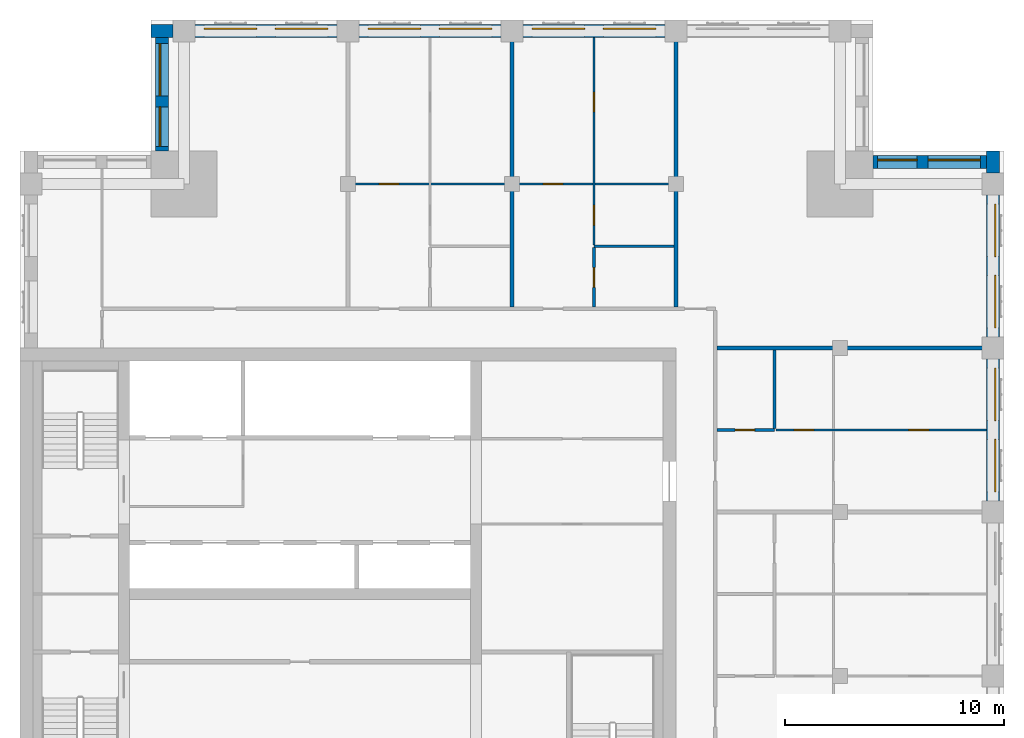
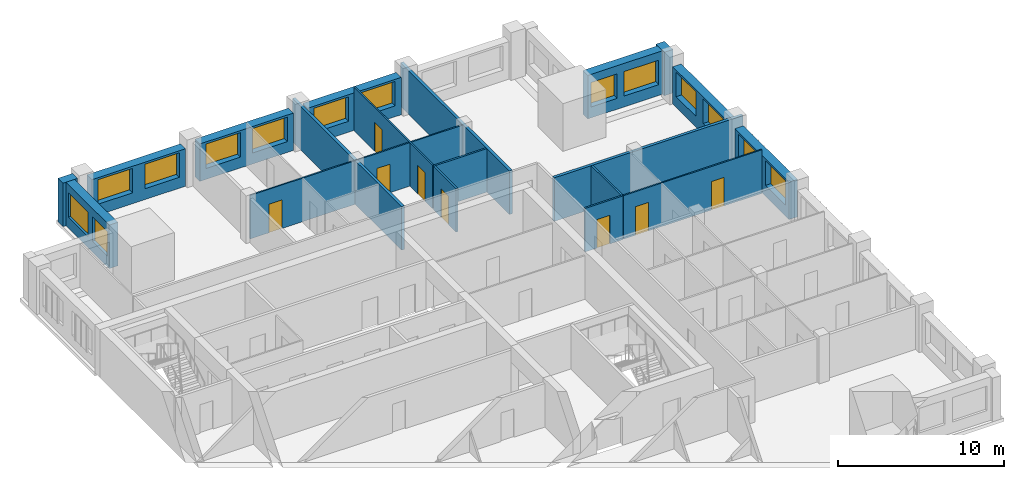
# One storey, part 7 of 10: 19 walls, 14 windows, 8 doors, 22 openings.
"""IFC4 building model written with IfcOpenShell, lengths in metres."""

import ifcopenshell
import ifcopenshell.guid

model = None  # the IFC model being written
_history = None  # IfcOwnerHistory: only IFC2X3 demands one
_inside = {}  # id of a spatial element -> (the spatial element, [elements in it])
_under = {}  # id of a project, library or spatial element -> (it, [spatial elements below it])
_declared = {}  # id of a project -> (the project, [libraries it declares])
_typed = {}  # id of a type object -> (the type object, [elements of that type])
_made_of = {}  # id of a material, layer set ... -> (it, [elements and type objects made of it])


def new_model(schema):
    """Start an empty IFC model of exactly this schema.

    Asked for "IFC4X3", IfcOpenShell would pick the latest addendum, in which some entities
    have other attributes; the version numbers below select the first issue.
    IFC2X3 requires an IfcOwnerHistory on every rooted entity: one is made here for all.
    """
    global model, _history
    if schema == "IFC4X3":
        model = ifcopenshell.file(schema_version=(4, 3, 0, 0))
    else:
        model = ifcopenshell.file(schema=schema)
    _inside.clear()
    _under.clear()
    _declared.clear()
    _typed.clear()
    _made_of.clear()
    _history = None
    if model.schema == "IFC2X3":
        org = make("IfcOrganization", Name="unknown")
        user = make(
            "IfcPersonAndOrganization",
            ThePerson=make("IfcPerson", FamilyName="unknown"),
            TheOrganization=org,
        )
        app = make(
            "IfcApplication",
            ApplicationDeveloper=org,
            Version="unknown",
            ApplicationFullName="unknown",
            ApplicationIdentifier="unknown",
        )
        _history = make(
            "IfcOwnerHistory",
            OwningUser=user,
            OwningApplication=app,
            ChangeAction="ADDED",
            CreationDate=0,
        )
    return model


def make(cls, **values):
    """One entity of the class cls with the attributes given. An attribute that is None is left unset."""
    return model.create_entity(
        cls, **{name: value for name, value in values.items() if value is not None}
    )


def rooted(cls, **values):
    """An entity with a GlobalId (a new one), such as an element, a storey or a relation."""
    return make(cls, GlobalId=ifcopenshell.guid.new(), OwnerHistory=_history, **values)


def si_unit(unit_type, name, prefix=None):
    """IfcSIUnit, for example si_unit("LENGTHUNIT", "METRE", prefix="MILLI")."""
    return make("IfcSIUnit", UnitType=unit_type, Prefix=prefix, Name=name)


def assignment(units):
    """IfcUnitAssignment: the units of a project."""
    return None if units is None else make("IfcUnitAssignment", Units=units)


def point(xyz):
    """IfcCartesianPoint."""
    return None if xyz is None else make("IfcCartesianPoint", Coordinates=xyz)


def direction(xyz):
    """IfcDirection."""
    return None if xyz is None else make("IfcDirection", DirectionRatios=xyz)


def frame(location, z_axis=None, x_axis=None):
    """IfcAxis2Placement3D, a coordinate frame: its origin and axes. An axis left out is left unset."""
    return make(
        "IfcAxis2Placement3D",
        Location=point(location),
        Axis=direction(z_axis),
        RefDirection=direction(x_axis),
    )


def frame_2d(location, x_axis=None):
    """IfcAxis2Placement2D, a coordinate frame in the plane: its origin and x axis."""
    return make(
        "IfcAxis2Placement2D", Location=point(location), RefDirection=direction(x_axis)
    )


def origin():
    """The frame at (0, 0, 0) with its axes left unset."""
    return frame((0.0, 0.0, 0.0))


def place(relative_to, where):
    """IfcLocalPlacement: puts the frame where relative to a parent placement (None: the world)."""
    return make(
        "IfcLocalPlacement", PlacementRelTo=relative_to, RelativePlacement=where
    )


def context(
    kind, dimensions, precision=None, world=None, true_north=None, identifier=None
):
    """IfcGeometricRepresentationContext, for example the 3D "Model" context."""
    return make(
        "IfcGeometricRepresentationContext",
        ContextIdentifier=identifier,
        ContextType=kind,
        CoordinateSpaceDimension=dimensions,
        Precision=precision,
        WorldCoordinateSystem=world,
        TrueNorth=true_north,
    )


def subcontext(parent, identifier, kind, view, scale=None):
    """IfcGeometricRepresentationSubContext, for example "Body" below "Model"."""
    return make(
        "IfcGeometricRepresentationSubContext",
        ContextIdentifier=identifier,
        ContextType=kind,
        ParentContext=parent,
        TargetScale=scale,
        TargetView=view,
    )


def project(units=None, contexts=None):
    """IfcProject with its units and contexts."""
    return rooted(
        "IfcProject",
        Name="project",
        RepresentationContexts=contexts,
        UnitsInContext=assignment(units),
    )


def spatial(cls, under=None, at=None, **own):
    """A site, building, storey or space (cls), placed at a placement, below another one or the project."""
    s = rooted(cls, ObjectPlacement=at, **own)
    if under is not None:
        _under.setdefault(under.id(), (under, []))[1].append(s)
    return s


def profile(cls, at=None, kind="AREA", **sizes):
    """A parametric profile (cls). Its sizes go by their IFC names, for example OverallWidth=200.0."""
    return make(cls, ProfileType=kind, Position=at, **sizes)


def rectangle(**sizes):
    """IfcRectangleProfileDef."""
    return profile("IfcRectangleProfileDef", **sizes)


def extrude(swept, where, along, depth):
    """IfcExtrudedAreaSolid: the profile swept, set in the frame where, extruded along a direction by depth."""
    return make(
        "IfcExtrudedAreaSolid",
        SweptArea=swept,
        Position=where,
        ExtrudedDirection=direction(along),
        Depth=depth,
    )


def shape(context_of_items, identifier, shape_type, items):
    """IfcShapeRepresentation: the items that make up one representation, for example the "Body"."""
    return make(
        "IfcShapeRepresentation",
        ContextOfItems=context_of_items,
        RepresentationIdentifier=identifier,
        RepresentationType=shape_type,
        Items=items,
    )


def material(Name=None, Category=None):
    """IfcMaterial."""
    return make("IfcMaterial", Name=Name, Category=Category)


def layer(
    of_material, thickness, ventilated=None, Name=None, Category=None, Priority=None
):
    """IfcMaterialLayer: one layer of a wall or slab, of a material (None: an air gap)."""
    return make(
        "IfcMaterialLayer",
        Material=of_material,
        LayerThickness=thickness,
        IsVentilated=ventilated,
        Name=Name,
        Category=Category,
        Priority=Priority,
    )


def layer_set(layers, Name=None):
    """IfcMaterialLayerSet."""
    return make("IfcMaterialLayerSet", MaterialLayers=layers, LayerSetName=Name)


def made_of(thing, what):
    """Note that an element or type object is made of a material, layer set ...; save() writes the relation."""
    if what is not None:
        _made_of.setdefault(what.id(), (what, []))[1].append(thing)
    return thing


def type_object(cls, material=None, **own):
    """A type object (cls), such as IfcWallType, which elements share."""
    return made_of(rooted(cls, **own), material)


def element(
    cls,
    number,
    at=None,
    inside=None,
    cuts=None,
    type_object=None,
    material=None,
    context=None,
    identifier="Body",
    shape_type=None,
    held_by="IfcProductDefinitionShape",
    body=None,
    shapes=None,
    **own,
):
    """One element of the class cls, such as IfcWall. Its Tag is "e" and its number.

    at: its placement. inside: the storey or other place that contains it. cuts: it is an
    opening in that element (IfcRelVoidsElement). A single representation is given by context,
    identifier, shape_type and body (its items); several are given by shapes. held_by: the class
    of the entity that holds the representations. save() writes the other relations.
    """
    e = rooted(cls, Tag="e%d" % number, ObjectPlacement=at, **own)
    if body is not None:
        shapes = [shape(context, identifier, shape_type, body)]
    if shapes is not None:
        e.Representation = make(held_by, Representations=shapes)
    if inside is not None:
        _inside.setdefault(inside.id(), (inside, []))[1].append(e)
    if cuts is not None:
        rooted(
            "IfcRelVoidsElement", RelatingBuildingElement=cuts, RelatedOpeningElement=e
        )
    if type_object is not None:
        _typed.setdefault(type_object.id(), (type_object, []))[1].append(e)
    return made_of(e, material)


def fill(opening, filler):
    """IfcRelFillsElement: the door or window that sits in an opening."""
    return rooted(
        "IfcRelFillsElement",
        RelatingOpeningElement=opening,
        RelatedBuildingElement=filler,
    )


def aggregate(whole, parts):
    """IfcRelAggregates: a whole, such as a stair, and the parts it consists of."""
    return rooted("IfcRelAggregates", RelatingObject=whole, RelatedObjects=parts)


def save(model, path):
    """Write the relations noted so far, then the file.

    IfcRelAggregates (storeys below a building ...), IfcRelContainedInSpatialStructure (elements
    in a storey), IfcRelDefinesByType, IfcRelAssociatesMaterial and IfcRelDeclares: one each for
    every whole, place, type object, material and project.
    """
    for whole, parts in _under.values():
        aggregate(whole, parts)
    for where, things in _inside.values():
        rooted(
            "IfcRelContainedInSpatialStructure",
            RelatedElements=things,
            RelatingStructure=where,
        )
    for kind, things in _typed.values():
        rooted("IfcRelDefinesByType", RelatedObjects=things, RelatingType=kind)
    for what, things in _made_of.values():
        rooted("IfcRelAssociatesMaterial", RelatedObjects=things, RelatingMaterial=what)
    for by, libraries in _declared.values():
        rooted("IfcRelDeclares", RelatingContext=by, RelatedDefinitions=libraries)
    model.write(path)


model = new_model("IFC4")

# Units and contexts
model_context = context("Model", 3, precision=1e-05, world=origin(), true_north=direction((0.0, 1.0)))
body_context = subcontext(model_context, "Body", "Model", "MODEL_VIEW")
ifc_project = project(units=[si_unit("LENGTHUNIT", "METRE"), si_unit("AREAUNIT", "SQUARE_METRE"), si_unit("VOLUMEUNIT", "CUBIC_METRE"), si_unit("PLANEANGLEUNIT", "RADIAN"), si_unit("MASSUNIT", "GRAM", prefix="KILO")], contexts=[model_context])

# Site, building, storey
site_placement = place(None, origin())
site = spatial("IfcSite", under=ifc_project, at=site_placement, CompositionType="ELEMENT")
building_placement = place(site_placement, origin())
building = spatial("IfcBuilding", under=site, at=building_placement, Name="Tamorin Gate", CompositionType="ELEMENT")
storey_placement = place(building_placement, frame((0.0, 0.0, 283.699951171875)))
storey = spatial("IfcBuildingStorey", under=building, at=storey_placement, Name="L71", CompositionType="ELEMENT", Elevation=283.699951171875)

# Wall, openings, windows
ifc_material_1 = material(Name="Precast concrete C40/50", Category="concrete")
ifc_layer_1 = layer(ifc_material_1, 0.60009765625)
ifc_layer_set_1 = layer_set([ifc_layer_1], Name="Precast concrete C40/50")
wall_type_1 = type_object("IfcWallType", Name="Board-marked concrete facade panel 600", PredefinedType="SOLIDWALL", material=ifc_layer_set_1)
wall_1_placement = place(storey_placement, frame((74.5, 75.5, 0.0), z_axis=(0.0, 0.0, 1.0), x_axis=(0.0, 1.0, 0.0)))
wall_1 = element("IfcWall", 1, at=wall_1_placement, inside=storey, type_object=wall_type_1, Name="Facade panel", PredefinedType="SOLIDWALL", context=body_context, shape_type="SweptSolid", body=[
    extrude(rectangle(XDim=6.5, YDim=0.60009765625, at=frame_2d((3.25, 0.0))), origin(), (0.0, 0.0, 1.0), 2.75),
])
opening_1_placement = place(wall_1_placement, frame((0.425048828125, 0.0, 0.800048828125)))
opening_1 = element("IfcOpeningElement", 2, at=opening_1_placement, cuts=wall_1, Name="Opening WN1", PredefinedType="OPENING", context=body_context, shape_type="SweptSolid", body=[
    extrude(rectangle(XDim=2.39990234375, YDim=1.800048828125, at=frame_2d((1.199951171875, 0.89990234375))), frame((0.0, 0.31005859375, 0.0), z_axis=(0.0, -1.0, 0.0), x_axis=(1.0, 0.0, 0.0)), (0.0, 0.0, 1.0), 0.6201171875),
])
opening_2_placement = place(wall_1_placement, frame((3.675048828125, 0.0, 0.800048828125)))
opening_2 = element("IfcOpeningElement", 3, at=opening_2_placement, cuts=wall_1, Name="Opening WN1", PredefinedType="OPENING", context=body_context, shape_type="SweptSolid", body=[
    extrude(rectangle(XDim=2.39990234375, YDim=1.800048828125, at=frame_2d((1.199951171875, 0.89990234375))), frame((0.0, 0.31005859375, 0.0), z_axis=(0.0, -1.0, 0.0), x_axis=(1.0, 0.0, 0.0)), (0.0, 0.0, 1.0), 0.6201171875),
])
ifc_material_2 = material(Name="Clear glass in aluminium frame", Category="aluminium")
window_type_1 = type_object("IfcWindowType", Name="Deep-set window 2400x1800", PartitioningType="SINGLE_PANEL", PredefinedType="WINDOW", material=ifc_material_2)
window_1_placement = place(opening_1_placement, origin())
window_1 = element("IfcWindow", 4, at=window_1_placement, inside=storey, type_object=window_type_1, Name="Deep-set window", OverallHeight=1.800048828125, OverallWidth=2.39990234375, PartitioningType="SINGLE_PANEL", PredefinedType="WINDOW", context=body_context, shape_type="SweptSolid", body=[
    extrude(rectangle(XDim=2.39990234375, YDim=1.800048828125, at=frame_2d((1.199951171875, 0.89990234375))), frame((0.0, -0.070068359375, 0.0), z_axis=(0.0, -1.0, 0.0), x_axis=(1.0, 0.0, 0.0)), (0.0, 0.0, 1.0), 0.06005859375),
])
fill(opening_1, window_1)
window_2_placement = place(opening_2_placement, origin())
window_2 = element("IfcWindow", 5, at=window_2_placement, inside=storey, type_object=window_type_1, Name="Deep-set window", OverallHeight=1.800048828125, OverallWidth=2.39990234375, PartitioningType="SINGLE_PANEL", PredefinedType="WINDOW", context=body_context, shape_type="SweptSolid", body=[
    extrude(rectangle(XDim=2.39990234375, YDim=1.800048828125, at=frame_2d((1.199951171875, 0.89990234375))), frame((0.0, -0.070068359375, 0.0), z_axis=(0.0, -1.0, 0.0), x_axis=(1.0, 0.0, 0.0)), (0.0, 0.0, 1.0), 0.06005859375),
])
fill(opening_2, window_2)

wall_2_placement = place(storey_placement, frame((74.5, 83.0, 0.0), z_axis=(0.0, 0.0, 1.0), x_axis=(0.0, 1.0, 0.0)))
wall_2 = element("IfcWall", 6, at=wall_2_placement, inside=storey, type_object=wall_type_1, Name="Facade panel", PredefinedType="SOLIDWALL", context=body_context, shape_type="SweptSolid", body=[
    extrude(rectangle(XDim=6.5, YDim=0.60009765625, at=frame_2d((3.25, 0.0))), origin(), (0.0, 0.0, 1.0), 2.75),
])
opening_3_placement = place(wall_2_placement, frame((0.425048828125, 0.0, 0.800048828125)))
opening_3 = element("IfcOpeningElement", 7, at=opening_3_placement, cuts=wall_2, Name="Opening WN1", PredefinedType="OPENING", context=body_context, shape_type="SweptSolid", body=[
    extrude(rectangle(XDim=2.39990234375, YDim=1.800048828125, at=frame_2d((1.199951171875, 0.89990234375))), frame((0.0, 0.31005859375, 0.0), z_axis=(0.0, -1.0, 0.0), x_axis=(1.0, 0.0, 0.0)), (0.0, 0.0, 1.0), 0.6201171875),
])
opening_4_placement = place(wall_2_placement, frame((3.675048828125, 0.0, 0.800048828125)))
opening_4 = element("IfcOpeningElement", 8, at=opening_4_placement, cuts=wall_2, Name="Opening WN1", PredefinedType="OPENING", context=body_context, shape_type="SweptSolid", body=[
    extrude(rectangle(XDim=2.39990234375, YDim=1.800048828125, at=frame_2d((1.199951171875, 0.89990234375))), frame((0.0, 0.31005859375, 0.0), z_axis=(0.0, -1.0, 0.0), x_axis=(1.0, 0.0, 0.0)), (0.0, 0.0, 1.0), 0.6201171875),
])
window_3_placement = place(opening_3_placement, origin())
window_3 = element("IfcWindow", 9, at=window_3_placement, inside=storey, type_object=window_type_1, Name="Deep-set window", OverallHeight=1.800048828125, OverallWidth=2.39990234375, PartitioningType="SINGLE_PANEL", PredefinedType="WINDOW", context=body_context, shape_type="SweptSolid", body=[
    extrude(rectangle(XDim=2.39990234375, YDim=1.800048828125, at=frame_2d((1.199951171875, 0.89990234375))), frame((0.0, -0.070068359375, 0.0), z_axis=(0.0, -1.0, 0.0), x_axis=(1.0, 0.0, 0.0)), (0.0, 0.0, 1.0), 0.06005859375),
])
fill(opening_3, window_3)
window_4_placement = place(opening_4_placement, origin())
window_4 = element("IfcWindow", 10, at=window_4_placement, inside=storey, type_object=window_type_1, Name="Deep-set window", OverallHeight=1.800048828125, OverallWidth=2.39990234375, PartitioningType="SINGLE_PANEL", PredefinedType="WINDOW", context=body_context, shape_type="SweptSolid", body=[
    extrude(rectangle(XDim=2.39990234375, YDim=1.800048828125, at=frame_2d((1.199951171875, 0.89990234375))), frame((0.0, -0.070068359375, 0.0), z_axis=(0.0, -1.0, 0.0), x_axis=(1.0, 0.0, 0.0)), (0.0, 0.0, 1.0), 0.06005859375),
])
fill(opening_4, window_4)

# Wall
wall_3_placement = place(storey_placement, frame((74.5, 90.5, 0.0), z_axis=(0.0, 0.0, 1.0), x_axis=(0.0, 1.0, 0.0)))
element("IfcWall", 11, at=wall_3_placement, inside=storey, type_object=wall_type_1, Name="Facade panel", PredefinedType="SOLIDWALL", context=body_context, shape_type="SweptSolid", body=[
    extrude(rectangle(XDim=1.0, YDim=0.60009765625, at=frame_2d((0.5, 0.0))), origin(), (0.0, 0.0, 1.0), 3.199951171875),
])

# Wall, openings, windows
wall_4_placement = place(storey_placement, frame((74.199951171875, 91.0, 0.0), z_axis=(0.0, 0.0, 1.0), x_axis=(-1.0, 0.0, 0.0)))
wall_4 = element("IfcWall", 12, at=wall_4_placement, inside=storey, type_object=wall_type_1, Name="Facade panel", PredefinedType="SOLIDWALL", context=body_context, shape_type="SweptSolid", body=[
    extrude(rectangle(XDim=5.199951171875, YDim=0.60009765625, at=frame_2d((2.60009765625, 0.0))), origin(), (0.0, 0.0, 1.0), 3.199951171875),
])
opening_5_placement = place(wall_4_placement, frame((3.175048828125, 0.0, 0.800048828125)))
opening_5 = element("IfcOpeningElement", 13, at=opening_5_placement, cuts=wall_4, Name="Opening WN2", PredefinedType="OPENING", context=body_context, shape_type="SweptSolid", body=[
    extrude(rectangle(XDim=1.800048828125, YDim=1.800048828125, at=frame_2d((0.89990234375, 0.89990234375))), frame((0.0, 0.31005859375, 0.0), z_axis=(0.0, -1.0, 0.0), x_axis=(1.0, 0.0, 0.0)), (0.0, 0.0, 1.0), 0.6201171875),
])
opening_6_placement = place(wall_4_placement, frame((0.27490234375, 0.0, 0.800048828125)))
opening_6 = element("IfcOpeningElement", 14, at=opening_6_placement, cuts=wall_4, Name="Opening WN1", PredefinedType="OPENING", context=body_context, shape_type="SweptSolid", body=[
    extrude(rectangle(XDim=2.39990234375, YDim=1.800048828125, at=frame_2d((1.199951171875, 0.89990234375))), frame((0.0, 0.31005859375, 0.0), z_axis=(0.0, -1.0, 0.0), x_axis=(1.0, 0.0, 0.0)), (0.0, 0.0, 1.0), 0.6201171875),
])
window_type_2 = type_object("IfcWindowType", Name="Deep-set window 1800x1800", PartitioningType="SINGLE_PANEL", PredefinedType="WINDOW", material=ifc_material_2)
window_5_placement = place(opening_5_placement, origin())
window_5 = element("IfcWindow", 15, at=window_5_placement, inside=storey, type_object=window_type_2, Name="Deep-set window", OverallHeight=1.800048828125, OverallWidth=1.800048828125, PartitioningType="SINGLE_PANEL", PredefinedType="WINDOW", context=body_context, shape_type="SweptSolid", body=[
    extrude(rectangle(XDim=1.800048828125, YDim=1.800048828125, at=frame_2d((0.89990234375, 0.89990234375))), frame((0.0, -0.070068359375, 0.0), z_axis=(0.0, -1.0, 0.0), x_axis=(1.0, 0.0, 0.0)), (0.0, 0.0, 1.0), 0.06005859375),
])
fill(opening_5, window_5)
window_6_placement = place(opening_6_placement, origin())
window_6 = element("IfcWindow", 16, at=window_6_placement, inside=storey, type_object=window_type_1, Name="Deep-set window", OverallHeight=1.800048828125, OverallWidth=2.39990234375, PartitioningType="SINGLE_PANEL", PredefinedType="WINDOW", context=body_context, shape_type="SweptSolid", body=[
    extrude(rectangle(XDim=2.39990234375, YDim=1.800048828125, at=frame_2d((1.199951171875, 0.89990234375))), frame((0.0, -0.070068359375, 0.0), z_axis=(0.0, -1.0, 0.0), x_axis=(1.0, 0.0, 0.0)), (0.0, 0.0, 1.0), 0.06005859375),
])
fill(opening_6, window_6)

wall_5_placement = place(storey_placement, frame((59.5, 97.0, 0.0), z_axis=(0.0, 0.0, 1.0), x_axis=(-1.0, 0.0, 0.0)))
wall_5 = element("IfcWall", 17, at=wall_5_placement, inside=storey, type_object=wall_type_1, Name="Facade panel", PredefinedType="SOLIDWALL", context=body_context, shape_type="SweptSolid", body=[
    extrude(rectangle(XDim=6.5, YDim=0.60009765625, at=frame_2d((3.25, 0.0))), origin(), (0.0, 0.0, 1.0), 2.75),
])
opening_7_placement = place(wall_5_placement, frame((3.675048828125, 0.0, 0.800048828125)))
opening_7 = element("IfcOpeningElement", 18, at=opening_7_placement, cuts=wall_5, Name="Opening WN1", PredefinedType="OPENING", context=body_context, shape_type="SweptSolid", body=[
    extrude(rectangle(XDim=2.39990234375, YDim=1.800048828125, at=frame_2d((1.199951171875, 0.89990234375))), frame((0.0, 0.31005859375, 0.0), z_axis=(0.0, -1.0, 0.0), x_axis=(1.0, 0.0, 0.0)), (0.0, 0.0, 1.0), 0.6201171875),
])
opening_8_placement = place(wall_5_placement, frame((0.425048828125, 0.0, 0.800048828125)))
opening_8 = element("IfcOpeningElement", 19, at=opening_8_placement, cuts=wall_5, Name="Opening WN1", PredefinedType="OPENING", context=body_context, shape_type="SweptSolid", body=[
    extrude(rectangle(XDim=2.39990234375, YDim=1.800048828125, at=frame_2d((1.199951171875, 0.89990234375))), frame((0.0, 0.31005859375, 0.0), z_axis=(0.0, -1.0, 0.0), x_axis=(1.0, 0.0, 0.0)), (0.0, 0.0, 1.0), 0.6201171875),
])
window_7_placement = place(opening_7_placement, origin())
window_7 = element("IfcWindow", 20, at=window_7_placement, inside=storey, type_object=window_type_1, Name="Deep-set window", OverallHeight=1.800048828125, OverallWidth=2.39990234375, PartitioningType="SINGLE_PANEL", PredefinedType="WINDOW", context=body_context, shape_type="SweptSolid", body=[
    extrude(rectangle(XDim=2.39990234375, YDim=1.800048828125, at=frame_2d((1.199951171875, 0.89990234375))), frame((0.0, -0.070068359375, 0.0), z_axis=(0.0, -1.0, 0.0), x_axis=(1.0, 0.0, 0.0)), (0.0, 0.0, 1.0), 0.06005859375),
])
fill(opening_7, window_7)
window_8_placement = place(opening_8_placement, origin())
window_8 = element("IfcWindow", 21, at=window_8_placement, inside=storey, type_object=window_type_1, Name="Deep-set window", OverallHeight=1.800048828125, OverallWidth=2.39990234375, PartitioningType="SINGLE_PANEL", PredefinedType="WINDOW", context=body_context, shape_type="SweptSolid", body=[
    extrude(rectangle(XDim=2.39990234375, YDim=1.800048828125, at=frame_2d((1.199951171875, 0.89990234375))), frame((0.0, -0.070068359375, 0.0), z_axis=(0.0, -1.0, 0.0), x_axis=(1.0, 0.0, 0.0)), (0.0, 0.0, 1.0), 0.06005859375),
])
fill(opening_8, window_8)

wall_6_placement = place(storey_placement, frame((52.0, 97.0, 0.0), z_axis=(0.0, 0.0, 1.0), x_axis=(-1.0, 0.0, 0.0)))
wall_6 = element("IfcWall", 22, at=wall_6_placement, inside=storey, type_object=wall_type_1, Name="Facade panel", PredefinedType="SOLIDWALL", context=body_context, shape_type="SweptSolid", body=[
    extrude(rectangle(XDim=6.5, YDim=0.60009765625, at=frame_2d((3.25, 0.0))), origin(), (0.0, 0.0, 1.0), 2.75),
])
opening_9_placement = place(wall_6_placement, frame((3.675048828125, 0.0, 0.800048828125)))
opening_9 = element("IfcOpeningElement", 23, at=opening_9_placement, cuts=wall_6, Name="Opening WN1", PredefinedType="OPENING", context=body_context, shape_type="SweptSolid", body=[
    extrude(rectangle(XDim=2.39990234375, YDim=1.800048828125, at=frame_2d((1.199951171875, 0.89990234375))), frame((0.0, 0.31005859375, 0.0), z_axis=(0.0, -1.0, 0.0), x_axis=(1.0, 0.0, 0.0)), (0.0, 0.0, 1.0), 0.6201171875),
])
opening_10_placement = place(wall_6_placement, frame((0.425048828125, 0.0, 0.800048828125)))
opening_10 = element("IfcOpeningElement", 24, at=opening_10_placement, cuts=wall_6, Name="Opening WN1", PredefinedType="OPENING", context=body_context, shape_type="SweptSolid", body=[
    extrude(rectangle(XDim=2.39990234375, YDim=1.800048828125, at=frame_2d((1.199951171875, 0.89990234375))), frame((0.0, 0.31005859375, 0.0), z_axis=(0.0, -1.0, 0.0), x_axis=(1.0, 0.0, 0.0)), (0.0, 0.0, 1.0), 0.6201171875),
])
window_9_placement = place(opening_9_placement, origin())
window_9 = element("IfcWindow", 25, at=window_9_placement, inside=storey, type_object=window_type_1, Name="Deep-set window", OverallHeight=1.800048828125, OverallWidth=2.39990234375, PartitioningType="SINGLE_PANEL", PredefinedType="WINDOW", context=body_context, shape_type="SweptSolid", body=[
    extrude(rectangle(XDim=2.39990234375, YDim=1.800048828125, at=frame_2d((1.199951171875, 0.89990234375))), frame((0.0, -0.070068359375, 0.0), z_axis=(0.0, -1.0, 0.0), x_axis=(1.0, 0.0, 0.0)), (0.0, 0.0, 1.0), 0.06005859375),
])
fill(opening_9, window_9)
window_10_placement = place(opening_10_placement, origin())
window_10 = element("IfcWindow", 26, at=window_10_placement, inside=storey, type_object=window_type_1, Name="Deep-set window", OverallHeight=1.800048828125, OverallWidth=2.39990234375, PartitioningType="SINGLE_PANEL", PredefinedType="WINDOW", context=body_context, shape_type="SweptSolid", body=[
    extrude(rectangle(XDim=2.39990234375, YDim=1.800048828125, at=frame_2d((1.199951171875, 0.89990234375))), frame((0.0, -0.070068359375, 0.0), z_axis=(0.0, -1.0, 0.0), x_axis=(1.0, 0.0, 0.0)), (0.0, 0.0, 1.0), 0.06005859375),
])
fill(opening_10, window_10)

wall_7_placement = place(storey_placement, frame((44.5, 97.0, 0.0), z_axis=(0.0, 0.0, 1.0), x_axis=(-1.0, 0.0, 0.0)))
wall_7 = element("IfcWall", 27, at=wall_7_placement, inside=storey, type_object=wall_type_1, Name="Facade panel", PredefinedType="SOLIDWALL", context=body_context, shape_type="SweptSolid", body=[
    extrude(rectangle(XDim=6.5, YDim=0.60009765625, at=frame_2d((3.25, 0.0))), origin(), (0.0, 0.0, 1.0), 2.75),
])
opening_11_placement = place(wall_7_placement, frame((3.675048828125, 0.0, 0.800048828125)))
opening_11 = element("IfcOpeningElement", 28, at=opening_11_placement, cuts=wall_7, Name="Opening WN1", PredefinedType="OPENING", context=body_context, shape_type="SweptSolid", body=[
    extrude(rectangle(XDim=2.39990234375, YDim=1.800048828125, at=frame_2d((1.199951171875, 0.89990234375))), frame((0.0, 0.31005859375, 0.0), z_axis=(0.0, -1.0, 0.0), x_axis=(1.0, 0.0, 0.0)), (0.0, 0.0, 1.0), 0.6201171875),
])
opening_12_placement = place(wall_7_placement, frame((0.425048828125, 0.0, 0.800048828125)))
opening_12 = element("IfcOpeningElement", 29, at=opening_12_placement, cuts=wall_7, Name="Opening WN1", PredefinedType="OPENING", context=body_context, shape_type="SweptSolid", body=[
    extrude(rectangle(XDim=2.39990234375, YDim=1.800048828125, at=frame_2d((1.199951171875, 0.89990234375))), frame((0.0, 0.31005859375, 0.0), z_axis=(0.0, -1.0, 0.0), x_axis=(1.0, 0.0, 0.0)), (0.0, 0.0, 1.0), 0.6201171875),
])
window_11_placement = place(opening_11_placement, origin())
window_11 = element("IfcWindow", 30, at=window_11_placement, inside=storey, type_object=window_type_1, Name="Deep-set window", OverallHeight=1.800048828125, OverallWidth=2.39990234375, PartitioningType="SINGLE_PANEL", PredefinedType="WINDOW", context=body_context, shape_type="SweptSolid", body=[
    extrude(rectangle(XDim=2.39990234375, YDim=1.800048828125, at=frame_2d((1.199951171875, 0.89990234375))), frame((0.0, -0.070068359375, 0.0), z_axis=(0.0, -1.0, 0.0), x_axis=(1.0, 0.0, 0.0)), (0.0, 0.0, 1.0), 0.06005859375),
])
fill(opening_11, window_11)
window_12_placement = place(opening_12_placement, origin())
window_12 = element("IfcWindow", 31, at=window_12_placement, inside=storey, type_object=window_type_1, Name="Deep-set window", OverallHeight=1.800048828125, OverallWidth=2.39990234375, PartitioningType="SINGLE_PANEL", PredefinedType="WINDOW", context=body_context, shape_type="SweptSolid", body=[
    extrude(rectangle(XDim=2.39990234375, YDim=1.800048828125, at=frame_2d((1.199951171875, 0.89990234375))), frame((0.0, -0.070068359375, 0.0), z_axis=(0.0, -1.0, 0.0), x_axis=(1.0, 0.0, 0.0)), (0.0, 0.0, 1.0), 0.06005859375),
])
fill(opening_12, window_12)

# Wall
wall_8_placement = place(storey_placement, frame((37.0, 97.0, 0.0), z_axis=(0.0, 0.0, 1.0), x_axis=(-1.0, 0.0, 0.0)))
element("IfcWall", 32, at=wall_8_placement, inside=storey, type_object=wall_type_1, Name="Facade panel", PredefinedType="SOLIDWALL", context=body_context, shape_type="SweptSolid", body=[
    extrude(rectangle(XDim=1.0, YDim=0.60009765625, at=frame_2d((0.5, 0.0))), origin(), (0.0, 0.0, 1.0), 3.199951171875),
])

# Wall, openings, windows
wall_9_placement = place(storey_placement, frame((36.5, 96.699951171875, 0.0), z_axis=(0.0, 0.0, 1.0), x_axis=(0.0, -1.0, 0.0)))
wall_9 = element("IfcWall", 33, at=wall_9_placement, inside=storey, type_object=wall_type_1, Name="Facade panel", PredefinedType="SOLIDWALL", context=body_context, shape_type="SweptSolid", body=[
    extrude(rectangle(XDim=5.199951171875, YDim=0.60009765625, at=frame_2d((2.60009765625, 0.0))), origin(), (0.0, 0.0, 1.0), 3.199951171875),
])
opening_13_placement = place(wall_9_placement, frame((3.175048828125, 0.0, 0.800048828125)))
opening_13 = element("IfcOpeningElement", 34, at=opening_13_placement, cuts=wall_9, Name="Opening WN2", PredefinedType="OPENING", context=body_context, shape_type="SweptSolid", body=[
    extrude(rectangle(XDim=1.800048828125, YDim=1.800048828125, at=frame_2d((0.89990234375, 0.89990234375))), frame((0.0, 0.31005859375, 0.0), z_axis=(0.0, -1.0, 0.0), x_axis=(1.0, 0.0, 0.0)), (0.0, 0.0, 1.0), 0.6201171875),
])
opening_14_placement = place(wall_9_placement, frame((0.27490234375, 0.0, 0.800048828125)))
opening_14 = element("IfcOpeningElement", 35, at=opening_14_placement, cuts=wall_9, Name="Opening WN1", PredefinedType="OPENING", context=body_context, shape_type="SweptSolid", body=[
    extrude(rectangle(XDim=2.39990234375, YDim=1.800048828125, at=frame_2d((1.199951171875, 0.89990234375))), frame((0.0, 0.31005859375, 0.0), z_axis=(0.0, -1.0, 0.0), x_axis=(1.0, 0.0, 0.0)), (0.0, 0.0, 1.0), 0.6201171875),
])
window_13_placement = place(opening_13_placement, origin())
window_13 = element("IfcWindow", 36, at=window_13_placement, inside=storey, type_object=window_type_2, Name="Deep-set window", OverallHeight=1.800048828125, OverallWidth=1.800048828125, PartitioningType="SINGLE_PANEL", PredefinedType="WINDOW", context=body_context, shape_type="SweptSolid", body=[
    extrude(rectangle(XDim=1.800048828125, YDim=1.800048828125, at=frame_2d((0.89990234375, 0.89990234375))), frame((0.0, -0.070068359375, 0.0), z_axis=(0.0, -1.0, 0.0), x_axis=(1.0, 0.0, 0.0)), (0.0, 0.0, 1.0), 0.06005859375),
])
fill(opening_13, window_13)
window_14_placement = place(opening_14_placement, origin())
window_14 = element("IfcWindow", 37, at=window_14_placement, inside=storey, type_object=window_type_1, Name="Deep-set window", OverallHeight=1.800048828125, OverallWidth=2.39990234375, PartitioningType="SINGLE_PANEL", PredefinedType="WINDOW", context=body_context, shape_type="SweptSolid", body=[
    extrude(rectangle(XDim=2.39990234375, YDim=1.800048828125, at=frame_2d((1.199951171875, 0.89990234375))), frame((0.0, -0.070068359375, 0.0), z_axis=(0.0, -1.0, 0.0), x_axis=(1.0, 0.0, 0.0)), (0.0, 0.0, 1.0), 0.06005859375),
])
fill(opening_14, window_14)

# Walls
ifc_material_3 = material(Name="Gypsum board partition")
ifc_layer_2 = layer(ifc_material_3, 0.199951171875)
ifc_layer_set_2 = layer_set([ifc_layer_2], Name="Demising wall 200")
wall_type_2 = type_object("IfcWallType", Name="Demising wall 200", PredefinedType="PARTITIONING", material=ifc_layer_set_2)
for number, where, z_axis, x_axis, name in (
    (38, (61.875, 82.5, 0.0), (0.0, 0.0, 1.0), (1.0, 0.0, 0.0), "Demising wall 200"),
    (39, (52.5, 84.375, 0.0), (0.0, 0.0, 1.0), (0.0, 1.0, 0.0), "Demising wall 200"),
    (40, (60.0, 84.375, 0.0), (0.0, 0.0, 1.0), (0.0, 1.0, 0.0), "Demising wall 200"),
):
    element("IfcWall", number, at=place(storey_placement, frame(where, z_axis=z_axis, x_axis=x_axis)), inside=storey, type_object=wall_type_2, Name=name, PredefinedType="PARTITIONING", context=body_context, shape_type="SweptSolid", body=[
        extrude(rectangle(XDim=13.125, YDim=0.199951171875, at=frame_2d((6.5625, 0.0))), origin(), (0.0, 0.0, 1.0), 3.199951171875),
    ])

# Wall, openings, doors
ifc_layer_3 = layer(ifc_material_3, 0.10009765625)
ifc_layer_set_3 = layer_set([ifc_layer_3], Name="Room partition 100")
wall_type_3 = type_object("IfcWallType", Name="Room partition 100", PredefinedType="PARTITIONING", material=ifc_layer_set_3)
wall_10_placement = place(storey_placement, frame((64.5625, 78.75, 0.0), z_axis=(0.0, 0.0, 1.0), x_axis=(1.0, 0.0, 0.0)))
wall_10 = element("IfcWall", 41, at=wall_10_placement, inside=storey, type_object=wall_type_3, Name="Room partition 100", PredefinedType="PARTITIONING", context=body_context, shape_type="SweptSolid", body=[
    extrude(rectangle(XDim=9.62744140625, YDim=0.10009765625, at=frame_2d((4.813720703125, 0.0))), origin(), (0.0, 0.0, 1.0), 3.199951171875),
])
opening_15_placement = place(wall_10_placement, frame((0.83740234375, 0.0, 0.0)))
opening_15 = element("IfcOpeningElement", 42, at=opening_15_placement, cuts=wall_10, Name="Opening DR10041", PredefinedType="OPENING", context=body_context, shape_type="SweptSolid", body=[
    extrude(rectangle(XDim=0.89990234375, YDim=2.10009765625, at=frame_2d((0.449951171875, 1.050048828125))), frame((0.0, 0.06005859375, 0.0), z_axis=(0.0, -1.0, 0.0), x_axis=(1.0, 0.0, 0.0)), (0.0, 0.0, 1.0), 0.1201171875),
])
opening_16_placement = place(wall_10_placement, frame((6.08740234375, 0.0, 0.0)))
opening_16 = element("IfcOpeningElement", 43, at=opening_16_placement, cuts=wall_10, Name="Opening DR10043", PredefinedType="OPENING", context=body_context, shape_type="SweptSolid", body=[
    extrude(rectangle(XDim=0.89990234375, YDim=2.10009765625, at=frame_2d((0.449951171875, 1.050048828125))), frame((0.0, 0.06005859375, 0.0), z_axis=(0.0, -1.0, 0.0), x_axis=(1.0, 0.0, 0.0)), (0.0, 0.0, 1.0), 0.1201171875),
])
ifc_material_4 = material(Name="Timber door leaf", Category="wood")
door_type = type_object("IfcDoorType", Name="Door 900 x 2100", OperationType="NOTDEFINED", PredefinedType="DOOR", material=ifc_material_4)
door_1_placement = place(opening_15_placement, origin())
door_1 = element("IfcDoor", 44, at=door_1_placement, inside=storey, type_object=door_type, Name="Door DR10041", OperationType="SINGLE_SWING_LEFT", OverallHeight=2.10009765625, OverallWidth=0.89990234375, PredefinedType="DOOR", context=body_context, shape_type="SweptSolid", body=[
    extrude(rectangle(XDim=0.89990234375, YDim=2.10009765625, at=frame_2d((0.449951171875, 1.050048828125))), frame((0.0, 0.02490234375, 0.0), z_axis=(0.0, -1.0, 0.0), x_axis=(1.0, 0.0, 0.0)), (0.0, 0.0, 1.0), 0.050048828125),
])
fill(opening_15, door_1)
door_2_placement = place(opening_16_placement, origin())
door_2 = element("IfcDoor", 45, at=door_2_placement, inside=storey, type_object=door_type, Name="Door DR10043", OperationType="SINGLE_SWING_RIGHT", OverallHeight=2.10009765625, OverallWidth=0.89990234375, PredefinedType="DOOR", context=body_context, shape_type="SweptSolid", body=[
    extrude(rectangle(XDim=0.89990234375, YDim=2.10009765625, at=frame_2d((0.449951171875, 1.050048828125))), frame((0.0, 0.02490234375, 0.0), z_axis=(0.0, -1.0, 0.0), x_axis=(1.0, 0.0, 0.0)), (0.0, 0.0, 1.0), 0.050048828125),
])
fill(opening_16, door_2)

wall_11_placement = place(storey_placement, frame((45.10009765625, 90.0, 0.0), z_axis=(0.0, 0.0, 1.0), x_axis=(1.0, 0.0, 0.0)))
wall_11 = element("IfcWall", 46, at=wall_11_placement, inside=storey, type_object=wall_type_3, Name="Room partition 100", PredefinedType="PARTITIONING", context=body_context, shape_type="SweptSolid", body=[
    extrude(rectangle(XDim=14.7998046875, YDim=0.10009765625, at=frame_2d((7.39990234375, 0.0))), origin(), (0.0, 0.0, 1.0), 3.199951171875),
])
opening_17_placement = place(wall_11_placement, frame((1.324951171875, 0.0, 0.0)))
opening_17 = element("IfcOpeningElement", 47, at=opening_17_placement, cuts=wall_11, Name="Opening DR10018", PredefinedType="OPENING", context=body_context, shape_type="SweptSolid", body=[
    extrude(rectangle(XDim=0.89990234375, YDim=2.10009765625, at=frame_2d((0.449951171875, 1.050048828125))), frame((0.0, 0.06005859375, 0.0), z_axis=(0.0, -1.0, 0.0), x_axis=(1.0, 0.0, 0.0)), (0.0, 0.0, 1.0), 0.1201171875),
])
opening_18_placement = place(wall_11_placement, frame((8.824951171875, 0.0, 0.0)))
opening_18 = element("IfcOpeningElement", 48, at=opening_18_placement, cuts=wall_11, Name="Opening DR10023", PredefinedType="OPENING", context=body_context, shape_type="SweptSolid", body=[
    extrude(rectangle(XDim=0.89990234375, YDim=2.10009765625, at=frame_2d((0.449951171875, 1.050048828125))), frame((0.0, 0.06005859375, 0.0), z_axis=(0.0, -1.0, 0.0), x_axis=(1.0, 0.0, 0.0)), (0.0, 0.0, 1.0), 0.1201171875),
])
door_3_placement = place(opening_17_placement, origin())
door_3 = element("IfcDoor", 49, at=door_3_placement, inside=storey, type_object=door_type, Name="Door DR10018", OperationType="SINGLE_SWING_RIGHT", OverallHeight=2.10009765625, OverallWidth=0.89990234375, PredefinedType="DOOR", context=body_context, shape_type="SweptSolid", body=[
    extrude(rectangle(XDim=0.89990234375, YDim=2.10009765625, at=frame_2d((0.449951171875, 1.050048828125))), frame((0.0, 0.02490234375, 0.0), z_axis=(0.0, -1.0, 0.0), x_axis=(1.0, 0.0, 0.0)), (0.0, 0.0, 1.0), 0.050048828125),
])
fill(opening_17, door_3)
door_4_placement = place(opening_18_placement, origin())
door_4 = element("IfcDoor", 50, at=door_4_placement, inside=storey, type_object=door_type, Name="Door DR10023", OperationType="SINGLE_SWING_RIGHT", OverallHeight=2.10009765625, OverallWidth=0.89990234375, PredefinedType="DOOR", context=body_context, shape_type="SweptSolid", body=[
    extrude(rectangle(XDim=0.89990234375, YDim=2.10009765625, at=frame_2d((0.449951171875, 1.050048828125))), frame((0.0, 0.02490234375, 0.0), z_axis=(0.0, -1.0, 0.0), x_axis=(1.0, 0.0, 0.0)), (0.0, 0.0, 1.0), 0.050048828125),
])
fill(opening_18, door_4)

wall_12_placement = place(storey_placement, frame((56.25, 87.21240234375, 0.0), z_axis=(0.0, 0.0, 1.0), x_axis=(0.0, 1.0, 0.0)))
wall_12 = element("IfcWall", 51, at=wall_12_placement, inside=storey, type_object=wall_type_3, Name="Room partition 100", PredefinedType="PARTITIONING", context=body_context, shape_type="SweptSolid", body=[
    extrude(rectangle(XDim=9.4775390625, YDim=0.10009765625, at=frame_2d((4.73876953125, 0.0))), origin(), (0.0, 0.0, 1.0), 3.199951171875),
])
opening_19_placement = place(wall_12_placement, frame((0.91259765625, 0.0, 0.0)))
opening_19 = element("IfcOpeningElement", 52, at=opening_19_placement, cuts=wall_12, Name="Opening DR10024", PredefinedType="OPENING", context=body_context, shape_type="SweptSolid", body=[
    extrude(rectangle(XDim=0.89990234375, YDim=2.10009765625, at=frame_2d((0.449951171875, 1.050048828125))), frame((0.0, 0.06005859375, 0.0), z_axis=(0.0, -1.0, 0.0), x_axis=(1.0, 0.0, 0.0)), (0.0, 0.0, 1.0), 0.1201171875),
])
opening_20_placement = place(wall_12_placement, frame((6.08740234375, 0.0, 0.0)))
opening_20 = element("IfcOpeningElement", 53, at=opening_20_placement, cuts=wall_12, Name="Opening DR10026", PredefinedType="OPENING", context=body_context, shape_type="SweptSolid", body=[
    extrude(rectangle(XDim=0.89990234375, YDim=2.10009765625, at=frame_2d((0.449951171875, 1.050048828125))), frame((0.0, 0.06005859375, 0.0), z_axis=(0.0, -1.0, 0.0), x_axis=(1.0, 0.0, 0.0)), (0.0, 0.0, 1.0), 0.1201171875),
])
door_5_placement = place(opening_19_placement, origin())
door_5 = element("IfcDoor", 54, at=door_5_placement, inside=storey, type_object=door_type, Name="Door DR10024", OperationType="SINGLE_SWING_LEFT", OverallHeight=2.10009765625, OverallWidth=0.89990234375, PredefinedType="DOOR", context=body_context, shape_type="SweptSolid", body=[
    extrude(rectangle(XDim=0.89990234375, YDim=2.10009765625, at=frame_2d((0.449951171875, 1.050048828125))), frame((0.0, 0.02490234375, 0.0), z_axis=(0.0, -1.0, 0.0), x_axis=(1.0, 0.0, 0.0)), (0.0, 0.0, 1.0), 0.050048828125),
])
fill(opening_19, door_5)
door_6_placement = place(opening_20_placement, origin())
door_6 = element("IfcDoor", 55, at=door_6_placement, inside=storey, type_object=door_type, Name="Door DR10026", OperationType="SINGLE_SWING_LEFT", OverallHeight=2.10009765625, OverallWidth=0.89990234375, PredefinedType="DOOR", context=body_context, shape_type="SweptSolid", body=[
    extrude(rectangle(XDim=0.89990234375, YDim=2.10009765625, at=frame_2d((0.449951171875, 1.050048828125))), frame((0.0, 0.02490234375, 0.0), z_axis=(0.0, -1.0, 0.0), x_axis=(1.0, 0.0, 0.0)), (0.0, 0.0, 1.0), 0.050048828125),
])
fill(opening_20, door_6)

# Wall, opening, door
ifc_layer_4 = layer(ifc_material_3, 0.125)
ifc_layer_set_4 = layer_set([ifc_layer_4], Name="Wet wall 125")
wall_type_4 = type_object("IfcWallType", Name="Wet wall 125", PredefinedType="PARTITIONING", material=ifc_layer_set_4)
wall_13_placement = place(storey_placement, frame((61.875, 78.75, 0.0), z_axis=(0.0, 0.0, 1.0), x_axis=(1.0, 0.0, 0.0)))
wall_13 = element("IfcWall", 56, at=wall_13_placement, inside=storey, type_object=wall_type_4, Name="Wet wall 125", PredefinedType="PARTITIONING", context=body_context, shape_type="SweptSolid", body=[
    extrude(rectangle(XDim=2.625, YDim=0.125, at=frame_2d((1.3125, 0.0))), origin(), (0.0, 0.0, 1.0), 3.199951171875),
])
opening_21_placement = place(wall_13_placement, frame((0.824951171875, 0.0, 0.0)))
opening_21 = element("IfcOpeningElement", 57, at=opening_21_placement, cuts=wall_13, Name="Opening DR10042", PredefinedType="OPENING", context=body_context, shape_type="SweptSolid", body=[
    extrude(rectangle(XDim=0.89990234375, YDim=2.10009765625, at=frame_2d((0.449951171875, 1.050048828125))), frame((0.0, 0.072509765625, 0.0), z_axis=(0.0, -1.0, 0.0), x_axis=(1.0, 0.0, 0.0)), (0.0, 0.0, 1.0), 0.14501953125),
])
door_7_placement = place(opening_21_placement, origin())
door_7 = element("IfcDoor", 58, at=door_7_placement, inside=storey, type_object=door_type, Name="Door DR10042", OperationType="SINGLE_SWING_LEFT", OverallHeight=2.10009765625, OverallWidth=0.89990234375, PredefinedType="DOOR", context=body_context, shape_type="SweptSolid", body=[
    extrude(rectangle(XDim=0.89990234375, YDim=2.10009765625, at=frame_2d((0.449951171875, 1.050048828125))), frame((0.0, 0.02490234375, 0.0), z_axis=(0.0, -1.0, 0.0), x_axis=(1.0, 0.0, 0.0)), (0.0, 0.0, 1.0), 0.050048828125),
])
fill(opening_21, door_7)

# Wall
wall_14_placement = place(storey_placement, frame((56.25, 87.14990234375, 0.0), z_axis=(0.0, 0.0, 1.0), x_axis=(1.0, 0.0, 0.0)))
element("IfcWall", 59, at=wall_14_placement, inside=storey, type_object=wall_type_4, Name="Wet wall 125", PredefinedType="PARTITIONING", context=body_context, shape_type="SweptSolid", body=[
    extrude(rectangle(XDim=3.64990234375, YDim=0.125, at=frame_2d((1.824951171875, 0.0))), origin(), (0.0, 0.0, 1.0), 3.199951171875),
])

# Wall, opening, door
wall_15_placement = place(storey_placement, frame((56.25, 84.375, 0.0), z_axis=(0.0, 0.0, 1.0), x_axis=(0.0, 1.0, 0.0)))
wall_15 = element("IfcWall", 60, at=wall_15_placement, inside=storey, type_object=wall_type_4, Name="Wet wall 125", PredefinedType="PARTITIONING", context=body_context, shape_type="SweptSolid", body=[
    extrude(rectangle(XDim=2.71240234375, YDim=0.125, at=frame_2d((1.356201171875, 0.0))), origin(), (0.0, 0.0, 1.0), 3.199951171875),
])
opening_22_placement = place(wall_15_placement, frame((0.89990234375, 0.0, 0.0)))
opening_22 = element("IfcOpeningElement", 61, at=opening_22_placement, cuts=wall_15, Name="Opening DR10025", PredefinedType="OPENING", context=body_context, shape_type="SweptSolid", body=[
    extrude(rectangle(XDim=0.89990234375, YDim=2.10009765625, at=frame_2d((0.449951171875, 1.050048828125))), frame((0.0, 0.072509765625, 0.0), z_axis=(0.0, -1.0, 0.0), x_axis=(1.0, 0.0, 0.0)), (0.0, 0.0, 1.0), 0.14501953125),
])
door_8_placement = place(opening_22_placement, origin())
door_8 = element("IfcDoor", 62, at=door_8_placement, inside=storey, type_object=door_type, Name="Door DR10025", OperationType="SINGLE_SWING_RIGHT", OverallHeight=2.10009765625, OverallWidth=0.89990234375, PredefinedType="DOOR", context=body_context, shape_type="SweptSolid", body=[
    extrude(rectangle(XDim=0.89990234375, YDim=2.10009765625, at=frame_2d((0.449951171875, 1.050048828125))), frame((0.0, 0.02490234375, 0.0), z_axis=(0.0, -1.0, 0.0), x_axis=(1.0, 0.0, 0.0)), (0.0, 0.0, 1.0), 0.050048828125),
])
fill(opening_22, door_8)

# Wall
wall_16_placement = place(storey_placement, frame((64.5, 78.8125, 0.0), z_axis=(0.0, 0.0, 1.0), x_axis=(0.0, 1.0, 0.0)))
element("IfcWall", 63, at=wall_16_placement, inside=storey, type_object=wall_type_4, Name="Wet wall 125", PredefinedType="PARTITIONING", context=body_context, shape_type="SweptSolid", body=[
    extrude(rectangle(XDim=3.58740234375, YDim=0.125, at=frame_2d((1.793701171875, 0.0))), origin(), (0.0, 0.0, 1.0), 3.199951171875),
])

save(model, "model.ifc")
